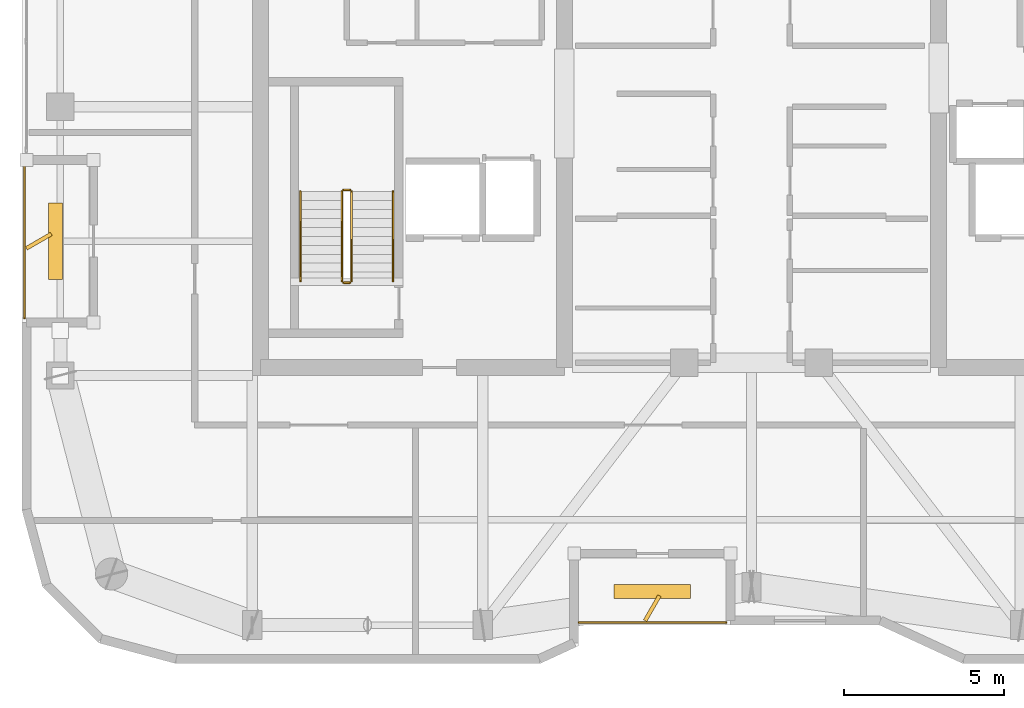
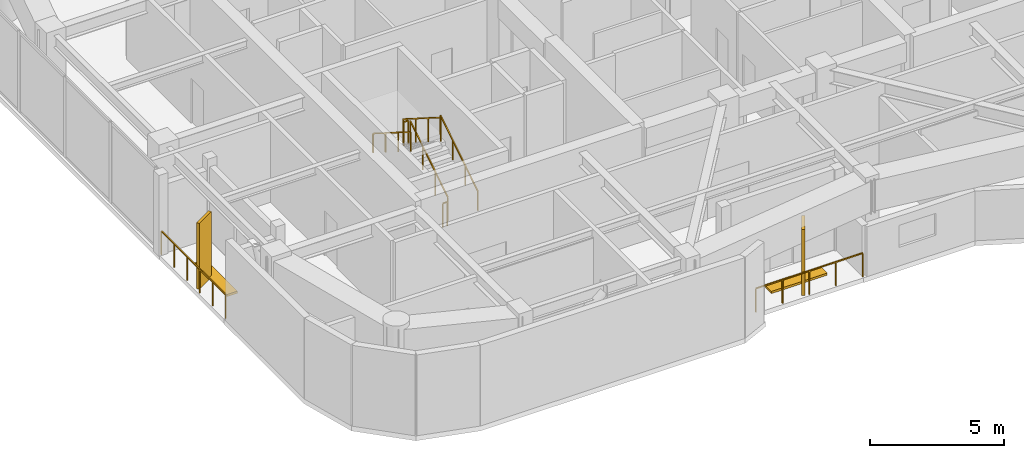
# One storey, part 15 of 16: 8 railings, 4 shading devices.
"""IFC4 building model written with IfcOpenShell, lengths in metres."""

from ifc_helpers import new_model, si_unit, direction, frame, origin, origin_2d, place, context, subcontext, project, spatial, rectangle, extrude, material, type_object, element, save


model = new_model("IFC4")

# Units and contexts
model_context = context("Model", 3, precision=1e-05, world=origin(), true_north=direction((0.0, 1.0)))
body_context = subcontext(model_context, "Body", "Model", "MODEL_VIEW")
ifc_project = project(units=[si_unit("LENGTHUNIT", "METRE"), si_unit("AREAUNIT", "SQUARE_METRE"), si_unit("VOLUMEUNIT", "CUBIC_METRE"), si_unit("PLANEANGLEUNIT", "RADIAN"), si_unit("MASSUNIT", "GRAM", prefix="KILO")], contexts=[model_context])

# Site, building, storey
site_placement = place(None, origin())
site = spatial("IfcSite", under=ifc_project, at=site_placement, CompositionType="ELEMENT")
building_placement = place(site_placement, origin())
building = spatial("IfcBuilding", under=site, at=building_placement, Name="Kiyonajd Concourse Tower", CompositionType="ELEMENT")
storey_placement = place(building_placement, frame((0.0, 0.0, 325.800048828125)))
storey = spatial("IfcBuildingStorey", under=building, at=storey_placement, Name="L82", CompositionType="ELEMENT", Elevation=325.800048828125)

# Railings
ifc_material_1 = material(Name="Thermally Broken Anodised Aluminium", Category="aluminium")
railing_type_1 = type_object("IfcRailingType", Name="RL-GRD-LOG", PredefinedType="GUARDRAIL", material=ifc_material_1)
railing_1_placement = place(storey_placement, frame((42.60009765625, 19.8798828125, 0.0)))
element("IfcRailing", 1, at=railing_1_placement, inside=storey, type_object=railing_type_1, Name="L82 Engawa Loggia Perimeter Guard LOG-S", PredefinedType="GUARDRAIL", context=body_context, shape_type="SweptSolid", body=[
    extrude(rectangle(XDim=0.048095703125, YDim=0.048095703125, at=origin_2d()), frame((0.0, 0.0, 1.076171875), z_axis=(1.0, 0.0, 0.0), x_axis=(0.0, 1.0, 0.0)), (0.0, 0.0, 1.0), 4.599853515625),
    extrude(rectangle(XDim=0.0419921875, YDim=0.0419921875, at=origin_2d()), origin(), (0.0, 0.0, 1.0), 1.052001953125),
    extrude(rectangle(XDim=0.0419921875, YDim=0.0419921875, at=origin_2d()), frame((1.14990234375, 0.0, 0.0)), (0.0, 0.0, 1.0), 1.052001953125),
    extrude(rectangle(XDim=0.0419921875, YDim=0.0419921875, at=origin_2d()), frame((2.2998046875, 0.0, 0.0)), (0.0, 0.0, 1.0), 1.052001953125),
    extrude(rectangle(XDim=0.0419921875, YDim=0.0419921875, at=origin_2d()), frame((3.449951171875, 0.0, 0.0)), (0.0, 0.0, 1.0), 1.052001953125),
    extrude(rectangle(XDim=0.0419921875, YDim=0.0419921875, at=origin_2d()), frame((4.599853515625, 0.0, 0.0)), (0.0, 0.0, 1.0), 1.052001953125),
])
railing_2_placement = place(storey_placement, frame((25.280029296875, 34.199951171875, 0.0)))
element("IfcRailing", 2, at=railing_2_placement, inside=storey, type_object=railing_type_1, Name="L82 Engawa Loggia Perimeter Guard LOG-W", PredefinedType="GUARDRAIL", context=body_context, shape_type="SweptSolid", body=[
    extrude(rectangle(XDim=0.048095703125, YDim=0.048095703125, at=origin_2d()), frame((0.0, 0.0, 1.076171875), z_axis=(0.0, -1.0, 0.0), x_axis=(1.0, 0.0, 0.0)), (0.0, 0.0, 1.0), 4.800048828125),
    extrude(rectangle(XDim=0.0419921875, YDim=0.0419921875, at=origin_2d()), origin(), (0.0, 0.0, 1.0), 1.052001953125),
    extrude(rectangle(XDim=0.0419921875, YDim=0.0419921875, at=origin_2d()), frame((0.0, -0.9599609375, 0.0)), (0.0, 0.0, 1.0), 1.052001953125),
    extrude(rectangle(XDim=0.0419921875, YDim=0.0419921875, at=origin_2d()), frame((0.0, -1.919921875, 0.0)), (0.0, 0.0, 1.0), 1.052001953125),
    extrude(rectangle(XDim=0.0419921875, YDim=0.0419921875, at=origin_2d()), frame((0.0, -2.880126953125, 0.0)), (0.0, 0.0, 1.0), 1.052001953125),
    extrude(rectangle(XDim=0.0419921875, YDim=0.0419921875, at=origin_2d()), frame((0.0, -3.840087890625, 0.0)), (0.0, 0.0, 1.0), 1.052001953125),
    extrude(rectangle(XDim=0.0419921875, YDim=0.0419921875, at=origin_2d()), frame((0.0, -4.800048828125, 0.0)), (0.0, 0.0, 1.0), 1.052001953125),
])
ifc_material_2 = material(Name="Steel ASTM A500 Grade C", Category="steel")
railing_type_2 = type_object("IfcRailingType", Name="RL-GRD-STR", PredefinedType="GUARDRAIL", material=ifc_material_2)
railing_3_placement = place(storey_placement, frame((35.5, 30.550048828125, 0.17724609375)))
element("IfcRailing", 3, at=railing_3_placement, inside=storey, type_object=railing_type_2, Name="L82 ST1 stair guard 1", PredefinedType="GUARDRAIL", context=body_context, shape_type="SweptSolid", body=[
    extrude(rectangle(XDim=0.048095703125, YDim=0.048095703125, at=origin_2d()), frame((0.0, 0.0, 1.076171875), z_axis=(0.0, 0.844908973607, 0.534910110503), x_axis=(-1.0, 0.0, 0.0)), (0.0, 0.0, 1.0), 3.31396484375),
    extrude(rectangle(XDim=0.0419921875, YDim=0.0419921875, at=origin_2d()), origin(), (0.0, 0.0, 1.0), 1.052001953125),
    extrude(rectangle(XDim=0.0419921875, YDim=0.0419921875, at=origin_2d()), frame((0.0, 0.933349609375, 0.5908203125)), (0.0, 0.0, 1.0), 1.052001953125),
    extrude(rectangle(XDim=0.0419921875, YDim=0.0419921875, at=origin_2d()), frame((0.0, 1.86669921875, 1.181884765625)), (0.0, 0.0, 1.0), 1.052001953125),
    extrude(rectangle(XDim=0.0419921875, YDim=0.0419921875, at=origin_2d()), frame((0.0, 2.800048828125, 1.772705078125)), (0.0, 0.0, 1.0), 1.052001953125),
])
railing_4_placement = place(storey_placement, frame((35.449951171875, 33.39990234375, 1.949951171875)))
element("IfcRailing", 4, at=railing_4_placement, inside=storey, type_object=railing_type_2, Name="L82 ST1 stair guard 2", PredefinedType="GUARDRAIL", context=body_context, shape_type="SweptSolid", body=[
    extrude(rectangle(XDim=0.048095703125, YDim=0.048095703125, at=origin_2d()), frame((0.0, 0.0, 1.076171875), z_axis=(-1.0, 0.0, 0.0), x_axis=(0.0, -1.0, 0.0)), (0.0, 0.0, 1.0), 0.199951171875),
    extrude(rectangle(XDim=0.0419921875, YDim=0.0419921875, at=origin_2d()), origin(), (0.0, 0.0, 1.0), 1.052001953125),
    extrude(rectangle(XDim=0.0419921875, YDim=0.0419921875, at=origin_2d()), frame((-0.199951171875, 0.0, 0.0)), (0.0, 0.0, 1.0), 1.052001953125),
])
railing_5_placement = place(storey_placement, frame((35.199951171875, 33.35009765625, 2.127197265625)))
element("IfcRailing", 5, at=railing_5_placement, inside=storey, type_object=railing_type_2, Name="L82 ST1 stair guard 3", PredefinedType="GUARDRAIL", context=body_context, shape_type="SweptSolid", body=[
    extrude(rectangle(XDim=0.048095703125, YDim=0.048095703125, at=origin_2d()), frame((0.0, 0.0, 1.076171875), z_axis=(0.0, -0.844908973607, 0.534910110503), x_axis=(1.0, 0.0, 0.0)), (0.0, 0.0, 1.0), 3.31396484375),
    extrude(rectangle(XDim=0.0419921875, YDim=0.0419921875, at=origin_2d()), origin(), (0.0, 0.0, 1.0), 1.052001953125),
    extrude(rectangle(XDim=0.0419921875, YDim=0.0419921875, at=origin_2d()), frame((0.0, -0.933349609375, 0.5908203125)), (0.0, 0.0, 1.0), 1.052001953125),
    extrude(rectangle(XDim=0.0419921875, YDim=0.0419921875, at=origin_2d()), frame((0.0, -1.86669921875, 1.181884765625)), (0.0, 0.0, 1.0), 1.052001953125),
    extrude(rectangle(XDim=0.0419921875, YDim=0.0419921875, at=origin_2d()), frame((0.0, -2.800048828125, 1.772705078125)), (0.0, 0.0, 1.0), 1.052001953125),
])
railing_6_placement = place(storey_placement, frame((35.449951171875, 30.5, 0.0)))
element("IfcRailing", 6, at=railing_6_placement, inside=storey, type_object=railing_type_2, Name="L82 ST1 stair guard 4", PredefinedType="GUARDRAIL", context=body_context, shape_type="SweptSolid", body=[
    extrude(rectangle(XDim=0.048095703125, YDim=0.048095703125, at=origin_2d()), frame((0.0, 0.0, 1.076171875), z_axis=(-1.0, 0.0, 0.0), x_axis=(0.0, -1.0, 0.0)), (0.0, 0.0, 1.0), 0.199951171875),
    extrude(rectangle(XDim=0.0419921875, YDim=0.0419921875, at=origin_2d()), origin(), (0.0, 0.0, 1.0), 1.052001953125),
    extrude(rectangle(XDim=0.0419921875, YDim=0.0419921875, at=origin_2d()), frame((-0.199951171875, 0.0, 0.0)), (0.0, 0.0, 1.0), 1.052001953125),
])
ifc_material_3 = material(Name="Brushed Stainless Steel Cab Assembly", Category="steel")
railing_type_3 = type_object("IfcRailingType", Name="RL-HND-900", PredefinedType="HANDRAIL", material=ifc_material_3)
railing_7_placement = place(storey_placement, frame((36.800048828125, 30.550048828125, 0.17724609375)))
element("IfcRailing", 7, at=railing_7_placement, inside=storey, type_object=railing_type_3, Name="L82 ST1 stair handrail 1", PredefinedType="HANDRAIL", context=body_context, shape_type="SweptSolid", body=[
    extrude(rectangle(XDim=0.048095703125, YDim=0.048095703125, at=origin_2d()), frame((0.0, 0.0, 0.8759765625), z_axis=(0.0, 0.844908973607, 0.534910110503), x_axis=(-1.0, 0.0, 0.0)), (0.0, 0.0, 1.0), 3.31396484375),
    extrude(rectangle(XDim=0.0419921875, YDim=0.0419921875, at=origin_2d()), origin(), (0.0, 0.0, 1.0), 0.851806640625),
    extrude(rectangle(XDim=0.0419921875, YDim=0.0419921875, at=origin_2d()), frame((0.0, 0.933349609375, 0.5908203125)), (0.0, 0.0, 1.0), 0.851806640625),
    extrude(rectangle(XDim=0.0419921875, YDim=0.0419921875, at=origin_2d()), frame((0.0, 1.86669921875, 1.181884765625)), (0.0, 0.0, 1.0), 0.851806640625),
    extrude(rectangle(XDim=0.0419921875, YDim=0.0419921875, at=origin_2d()), frame((0.0, 2.800048828125, 1.772705078125)), (0.0, 0.0, 1.0), 0.851806640625),
])
railing_8_placement = place(storey_placement, frame((33.89990234375, 33.35009765625, 2.127197265625)))
element("IfcRailing", 8, at=railing_8_placement, inside=storey, type_object=railing_type_3, Name="L82 ST1 stair handrail 2", PredefinedType="HANDRAIL", context=body_context, shape_type="SweptSolid", body=[
    extrude(rectangle(XDim=0.048095703125, YDim=0.048095703125, at=origin_2d()), frame((0.0, 0.0, 0.8759765625), z_axis=(0.0, -0.844908973607, 0.534910110503), x_axis=(1.0, 0.0, 0.0)), (0.0, 0.0, 1.0), 3.31396484375),
    extrude(rectangle(XDim=0.0419921875, YDim=0.0419921875, at=origin_2d()), origin(), (0.0, 0.0, 1.0), 0.851806640625),
    extrude(rectangle(XDim=0.0419921875, YDim=0.0419921875, at=origin_2d()), frame((0.0, -0.933349609375, 0.5908203125)), (0.0, 0.0, 1.0), 0.851806640625),
    extrude(rectangle(XDim=0.0419921875, YDim=0.0419921875, at=origin_2d()), frame((0.0, -1.86669921875, 1.181884765625)), (0.0, 0.0, 1.0), 0.851806640625),
    extrude(rectangle(XDim=0.0419921875, YDim=0.0419921875, at=origin_2d()), frame((0.0, -2.800048828125, 1.772705078125)), (0.0, 0.0, 1.0), 0.851806640625),
])

# Shading devices
ifc_material_4 = material(Name="Precast concrete C50/60", Category="concrete")
shading_device_type_1 = type_object("IfcShadingDeviceType", Name="SH-FIN-900", PredefinedType="USERDEFINED", material=ifc_material_4)
for number, where, z_axis, x_axis, name in (
    (9, (44.89990234375, 20.330078125, 0.0), (0.0, 0.0, 1.0), (0.5, 0.866025403784, 0.0), "L82 Angled Koshi Solar Fin LOG-S"),
    (10, (25.72998046875, 31.800048828125, 0.0), (0.0, 0.0, 1.0), (0.866025403784, 0.5, 0.0), "L82 Angled Koshi Solar Fin LOG-W"),
):
    element("IfcShadingDevice", number, at=place(storey_placement, frame(where, z_axis=z_axis, x_axis=x_axis)), inside=storey, type_object=shading_device_type_1, Name=name, ObjectType="FIN", PredefinedType="USERDEFINED", context=body_context, shape_type="SweptSolid", body=[
        extrude(rectangle(XDim=0.89990234375, YDim=0.1201171875, at=origin_2d()), origin(), (0.0, 0.0, 1.0), 3.0),
    ])
shading_device_type_2 = type_object("IfcShadingDeviceType", Name="SH-LVR-600", PredefinedType="JALOUSIE", material=ifc_material_1)
for number, where, z_axis, x_axis, name in (
    (11, (44.89990234375, 20.85009765625, 0.0), (0.0, 0.0, 1.0), (1.0, 0.0, 0.0), "L82 Loggia Threshold Louver LOG-S"),
    (12, (26.25, 31.800048828125, 0.0), (0.0, 0.0, 1.0), (0.0, 1.0, 0.0), "L82 Loggia Threshold Louver LOG-W"),
):
    element("IfcShadingDevice", number, at=place(storey_placement, frame(where, z_axis=z_axis, x_axis=x_axis)), inside=storey, type_object=shading_device_type_2, Name=name, PredefinedType="JALOUSIE", context=body_context, shape_type="SweptSolid", body=[
        extrude(rectangle(XDim=2.39990234375, YDim=0.449951171875, at=origin_2d()), origin(), (0.0, 0.0, 1.0), 0.10009765625),
    ])

save(model, "model.ifc")
